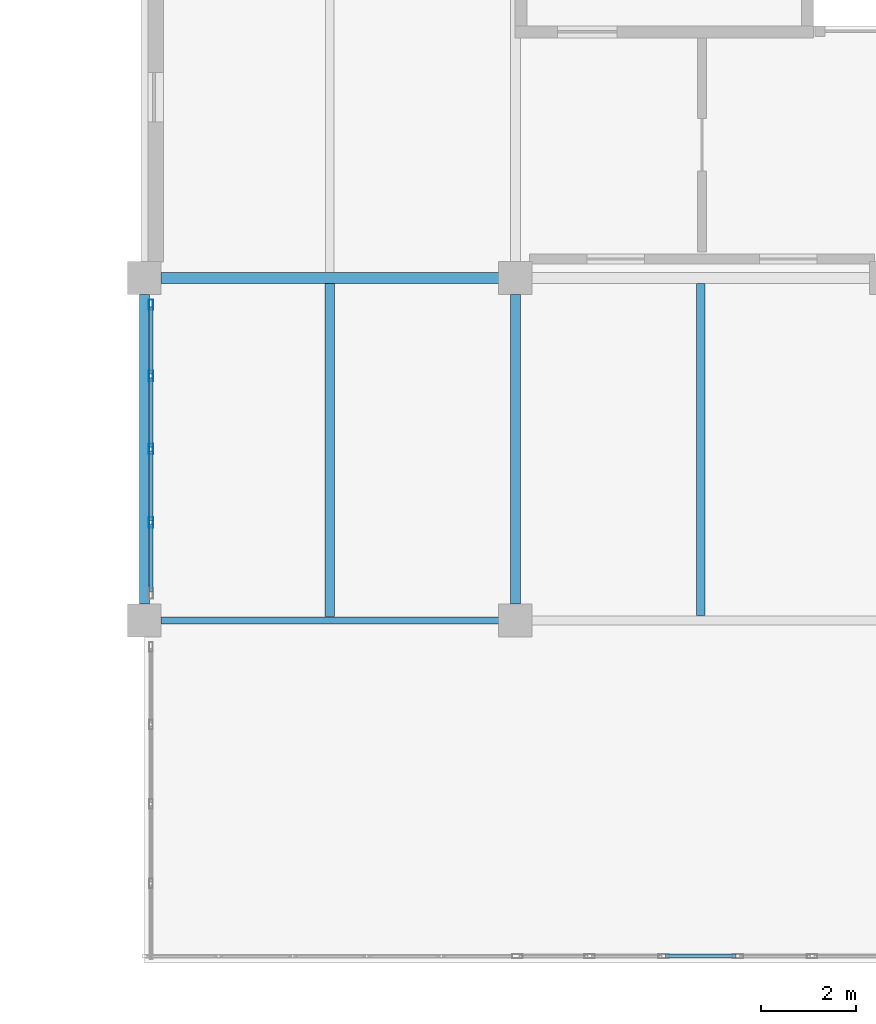
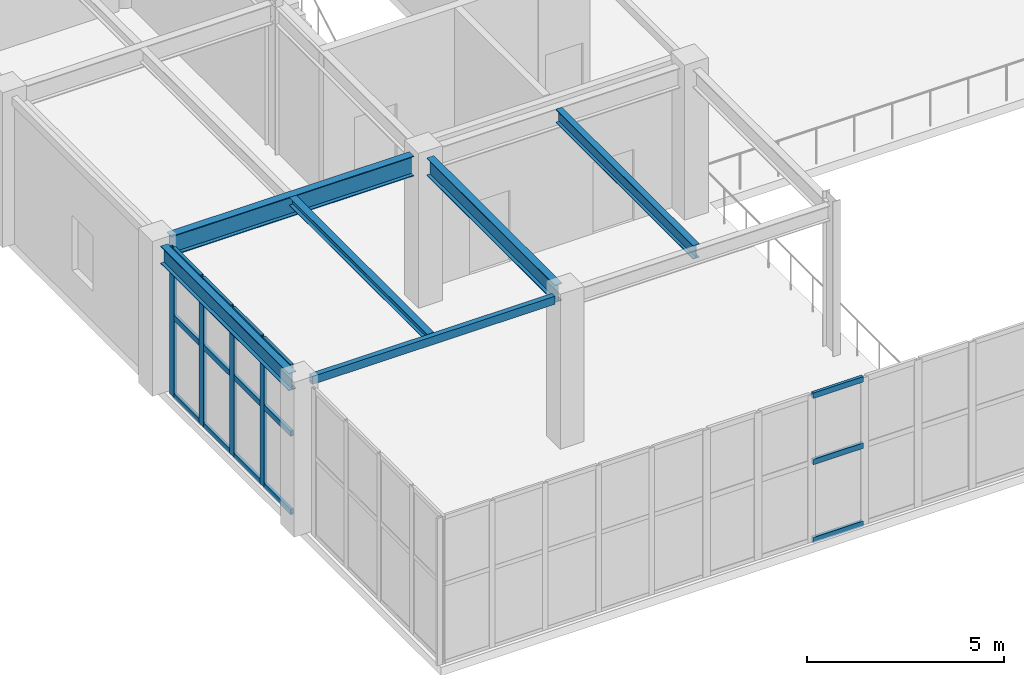
# One storey, part 32 of 72: 19 members, 6 beams, 2 elements without a shape of their own.
"""IFC4 building model written with IfcOpenShell, lengths in metres."""

from ifc_helpers import new_model, si_unit, direction, frame, origin, origin_2d, place, context, subcontext, project, spatial, hollow_rectangle, i_section, extrude, material, layer, layer_set, material_profile, profile_set, type_object, element, aggregate, save


model = new_model("IFC4")

# Units and contexts
model_context = context("Model", 3, precision=1e-05, world=origin(), true_north=direction((0.0, 1.0)))
body_context = subcontext(model_context, "Body", "Model", "MODEL_VIEW")
ifc_project = project(units=[si_unit("LENGTHUNIT", "METRE"), si_unit("AREAUNIT", "SQUARE_METRE"), si_unit("VOLUMEUNIT", "CUBIC_METRE"), si_unit("PLANEANGLEUNIT", "RADIAN"), si_unit("MASSUNIT", "GRAM", prefix="KILO")], contexts=[model_context])

# Site, building, storey
site_placement = place(None, origin())
site = spatial("IfcSite", under=ifc_project, at=site_placement, CompositionType="ELEMENT")
building_placement = place(site_placement, origin())
building = spatial("IfcBuilding", under=site, at=building_placement, Name="Xicomal Pleat Aquarium", CompositionType="ELEMENT")
storey_placement = place(building_placement, frame((0.0, 0.0, 10.5)))
storey = spatial("IfcBuildingStorey", under=building, at=storey_placement, Name="L03", CompositionType="ELEMENT", Elevation=10.5)

# Beams
ifc_material_1 = material(Name="Structural steel A992 Gr 50", Category="steel")
ifc_material_profile_1 = material_profile(ifc_material_1, i_section(OverallWidth=0.201904296875, OverallDepth=0.2470703125, WebThickness=0.00732421875, FlangeThickness=0.010986328125, at=origin_2d()), Name="IR 250x49")
ifc_profile_set_1 = profile_set([ifc_material_profile_1], Name="Structural steel A992 Gr 50")
beam_type_1 = type_object("IfcBeamType", Name="BM-STL-IR250", PredefinedType="JOIST", material=ifc_profile_set_1)
beam_1_placement = place(storey_placement, frame((137.699951171875, 8.077880859375, 4.451416015625), z_axis=(0.0, 1.0, 0.0), x_axis=(-1.0, 0.0, 0.0)))
element("IfcBeam", 1, at=beam_1_placement, inside=storey, type_object=beam_type_1, Name="L03 framing beam FBJ-L03-17-B-1", PredefinedType="JOIST", context=body_context, shape_type="SweptSolid", body=[
    extrude(i_section(OverallWidth=0.201904296875, OverallDepth=0.2470703125, WebThickness=0.00732421875, FlangeThickness=0.010986328125, at=origin_2d()), origin(), (0.0, 0.0, 1.0), 7.004150390625),
])
ifc_material_2 = material(Name="Structural steel A992 Gr 50", Category="steel")
ifc_material_profile_2 = material_profile(ifc_material_2, i_section(OverallWidth=0.180908203125, OverallDepth=0.4169921875, WebThickness=0.010986328125, FlangeThickness=0.018310546875, at=origin_2d()), Name="IR 410x85")
ifc_profile_set_2 = profile_set([ifc_material_profile_2], Name="Structural steel A992 Gr 50")
beam_type_2 = type_object("IfcBeamType", Name="BM-STL-IR410", PredefinedType="JOIST", material=ifc_profile_set_2)
beam_2_placement = place(storey_placement, frame((145.5, 8.10009765625, 4.366455078125), z_axis=(0.0, 1.0, 0.0), x_axis=(-1.0, 0.0, 0.0)))
element("IfcBeam", 2, at=beam_2_placement, inside=storey, type_object=beam_type_2, Name="L03 framing beam FBJ-L03-18-B-1", PredefinedType="JOIST", context=body_context, shape_type="SweptSolid", body=[
    extrude(i_section(OverallWidth=0.180908203125, OverallDepth=0.4169921875, WebThickness=0.010986328125, FlangeThickness=0.018310546875, at=origin_2d()), origin(), (0.0, 0.0, 1.0), 6.98193359375),
])
ifc_material_3 = material(Name="Structural steel A992 Gr 50", Category="steel")
ifc_material_profile_3 = material_profile(ifc_material_3, i_section(OverallWidth=0.2119140625, OverallDepth=0.5439453125, WebThickness=0.01318359375, FlangeThickness=0.021240234375, at=origin_2d()), Name="IR 530x123")
ifc_profile_set_3 = profile_set([ifc_material_profile_3], Name="Structural steel A992 Gr 50")
beam_type_3 = type_object("IfcBeamType", Name="BM-STL-IR530", PredefinedType="BEAM", material=ifc_profile_set_3)
for number, where, z_axis, x_axis, name in (
    (3, (133.800048828125, 8.344970703125, 4.302978515625), (0.0, 1.0, 0.0), (-1.0, 0.0, 0.0), "L03 framing beam FGY-L03-17-B-C"),
    (4, (141.60009765625, 8.344970703125, 4.302978515625), (0.0, 1.0, 0.0), (-1.0, 0.0, 0.0), "L03 framing beam FGY-L03-18-B-C"),
):
    element("IfcBeam", number, at=place(storey_placement, frame(where, z_axis=z_axis, x_axis=x_axis)), inside=storey, type_object=beam_type_3, Name=name, PredefinedType="BEAM", context=body_context, shape_type="SweptSolid", body=[
        extrude(i_section(OverallWidth=0.2119140625, OverallDepth=0.5439453125, WebThickness=0.01318359375, FlangeThickness=0.021240234375, at=origin_2d()), origin(), (0.0, 0.0, 1.0), 6.510009765625),
    ])
ifc_material_4 = material(Name="Structural steel A992 Gr 50", Category="steel")
ifc_material_profile_4 = material_profile(ifc_material_4, i_section(OverallWidth=0.22998046875, OverallDepth=0.616943359375, WebThickness=0.01318359375, FlangeThickness=0.022216796875, at=origin_2d()), Name="IR 610x140")
ifc_profile_set_4 = profile_set([ifc_material_profile_4], Name="Structural steel A992 Gr 50")
beam_type_4 = type_object("IfcBeamType", Name="BM-STL-IR610", PredefinedType="BEAM", material=ifc_profile_set_4)
beam_3_placement = place(storey_placement, frame((134.14501953125, 15.199951171875, 4.2666015625), z_axis=(1.0, 0.0, 0.0), x_axis=(0.0, 1.0, 0.0)))
element("IfcBeam", 5, at=beam_3_placement, inside=storey, type_object=beam_type_4, Name="L03 framing beam FGX-L03-17-18-C", PredefinedType="BEAM", context=body_context, shape_type="SweptSolid", body=[
    extrude(i_section(OverallWidth=0.22998046875, OverallDepth=0.616943359375, WebThickness=0.01318359375, FlangeThickness=0.022216796875, at=origin_2d()), origin(), (0.0, 0.0, 1.0), 7.10986328125),
])
ifc_material_5 = material(Name="Structural steel A500 Gr C", Category="steel")
ifc_material_profile_5 = material_profile(ifc_material_5, hollow_rectangle(XDim=0.14990234375, YDim=0.25, WallThickness=0.010009765625, at=origin_2d()), Name="OR 250x150x10")
ifc_profile_set_5 = profile_set([ifc_material_profile_5], Name="Structural steel A500 Gr C")
beam_type_5 = type_object("IfcBeamType", Name="BM-STL-OR250", PredefinedType="SPANDREL", material=ifc_profile_set_5)
beam_4_placement = place(storey_placement, frame((134.14501953125, 8.0, 4.449951171875), z_axis=(1.0, 0.0, 0.0), x_axis=(0.0, 1.0, 0.0)))
element("IfcBeam", 6, at=beam_4_placement, inside=storey, type_object=beam_type_5, Name="L03 framing beam FGX-L03-17-18-B", PredefinedType="SPANDREL", context=body_context, shape_type="SweptSolid", body=[
    extrude(hollow_rectangle(XDim=0.14990234375, YDim=0.25, WallThickness=0.010009765625, at=origin_2d()), origin(), (0.0, 0.0, 1.0), 7.10986328125),
])

# Curtain wall, members
ifc_material_6 = material(Name="Bronze anodized aluminium 6063-T6", Category="aluminium")
ifc_layer = layer(ifc_material_6, 0.159912109375)
ifc_layer_set = layer_set([ifc_layer], Name="Bronze anodized aluminium 6063-T6")
curtain_wall_type = type_object("IfcCurtainWallType", Name="CW-SYS-03", PredefinedType="NOTDEFINED", material=ifc_layer_set)
curtain_wall_1_placement = place(storey_placement, origin())
curtain_wall_1 = element("IfcCurtainWall", 7, at=curtain_wall_1_placement, inside=storey, type_object=curtain_wall_type, Name="L03 unitised curtain wall CW-L03-149", PredefinedType="NOTDEFINED")
ifc_material_7 = material(Name="Bronze anodized aluminium 6063-T6", Category="aluminium")
ifc_material_profile_6 = material_profile(ifc_material_7, hollow_rectangle(XDim=0.0849609375, YDim=0.219970703125, WallThickness=0.0048828125, at=origin_2d()), Name="ALU MULL 85x220")
ifc_profile_set_6 = profile_set([ifc_material_profile_6], Name="Bronze anodized aluminium 6063-T6")
member_type_1 = type_object("IfcMemberType", Name="CWM-85x220", PredefinedType="MULLION", material=ifc_profile_set_6)
member_1_placement = place(storey_placement, frame((133.93994140625, 10.06005859375, 0.0), z_axis=(0.0, 0.0, 1.0), x_axis=(-1.0, 0.0, 0.0)))
member_1 = element("IfcMember", 8, at=member_1_placement, type_object=member_type_1, Name="CW-03 mullion 2", PredefinedType="MULLION", context=body_context, shape_type="SweptSolid", body=[
    extrude(hollow_rectangle(XDim=0.0849609375, YDim=0.219970703125, WallThickness=0.0048828125, at=origin_2d()), origin(), (0.0, 0.0, 1.0), 4.574951171875),
])
member_2_placement = place(storey_placement, frame((133.93994140625, 11.60009765625, 0.0), z_axis=(0.0, 0.0, 1.0), x_axis=(-1.0, 0.0, 0.0)))
member_2 = element("IfcMember", 9, at=member_2_placement, type_object=member_type_1, Name="CW-03 mullion 3", PredefinedType="MULLION", context=body_context, shape_type="SweptSolid", body=[
    extrude(hollow_rectangle(XDim=0.0849609375, YDim=0.219970703125, WallThickness=0.0048828125, at=origin_2d()), origin(), (0.0, 0.0, 1.0), 4.574951171875),
])
member_3_placement = place(storey_placement, frame((133.93994140625, 13.139892578125, 0.0), z_axis=(0.0, 0.0, 1.0), x_axis=(-1.0, 0.0, 0.0)))
member_3 = element("IfcMember", 10, at=member_3_placement, type_object=member_type_1, Name="CW-03 mullion 4", PredefinedType="MULLION", context=body_context, shape_type="SweptSolid", body=[
    extrude(hollow_rectangle(XDim=0.0849609375, YDim=0.219970703125, WallThickness=0.0048828125, at=origin_2d()), origin(), (0.0, 0.0, 1.0), 4.574951171875),
])
member_4_placement = place(storey_placement, frame((133.93994140625, 14.637451171875, 0.0), z_axis=(0.0, 0.0, 1.0), x_axis=(-1.0, 0.0, 0.0)))
member_4 = element("IfcMember", 11, at=member_4_placement, type_object=member_type_1, Name="CW-03 mullion 5", PredefinedType="MULLION", context=body_context, shape_type="SweptSolid", body=[
    extrude(hollow_rectangle(XDim=0.0849609375, YDim=0.219970703125, WallThickness=0.0048828125, at=origin_2d()), origin(), (0.0, 0.0, 1.0), 4.574951171875),
])

curtain_wall_2_placement = place(storey_placement, origin())
curtain_wall_2 = element("IfcCurtainWall", 12, at=curtain_wall_2_placement, inside=storey, type_object=curtain_wall_type, Name="L03 unitised curtain wall CW-L03-146", PredefinedType="NOTDEFINED")
ifc_material_8 = material(Name="Bronze anodized aluminium 6063-T6", Category="aluminium")
ifc_material_profile_7 = material_profile(ifc_material_8, hollow_rectangle(XDim=0.0849609375, YDim=0.169921875, WallThickness=0.0048828125, at=origin_2d()), Name="ALU TRAN 85x170")
ifc_profile_set_7 = profile_set([ifc_material_profile_7], Name="Bronze anodized aluminium 6063-T6")
member_type_2 = type_object("IfcMemberType", Name="CWT-85x170", PredefinedType="USERDEFINED", material=ifc_profile_set_7)
member_5_placement = place(storey_placement, frame((146.237548828125, 0.93994140625, 0.04248046875), z_axis=(-1.0, 0.0, 0.0), x_axis=(0.0, -1.0, 0.0)))
member_5 = element("IfcMember", 13, at=member_5_placement, type_object=member_type_2, Name="CW-03 transom 3.1", ObjectType="TRANSOM", PredefinedType="USERDEFINED", context=body_context, shape_type="SweptSolid", body=[
    extrude(hollow_rectangle(XDim=0.0849609375, YDim=0.169921875, WallThickness=0.0048828125, at=origin_2d()), origin(), (0.0, 0.0, 1.0), 1.47509765625),
])
member_6_placement = place(storey_placement, frame((146.237548828125, 0.93994140625, 2.4619140625), z_axis=(-1.0, 0.0, 0.0), x_axis=(0.0, -1.0, 0.0)))
member_6 = element("IfcMember", 14, at=member_6_placement, type_object=member_type_2, Name="CW-03 transom 3.2", ObjectType="TRANSOM", PredefinedType="USERDEFINED", context=body_context, shape_type="SweptSolid", body=[
    extrude(hollow_rectangle(XDim=0.0849609375, YDim=0.169921875, WallThickness=0.0048828125, at=origin_2d()), origin(), (0.0, 0.0, 1.0), 1.47509765625),
])
member_7_placement = place(storey_placement, frame((146.237548828125, 0.93994140625, 4.517578125), z_axis=(-1.0, 0.0, 0.0), x_axis=(0.0, -1.0, 0.0)))
member_7 = element("IfcMember", 15, at=member_7_placement, type_object=member_type_2, Name="CW-03 transom 3.3", ObjectType="TRANSOM", PredefinedType="USERDEFINED", context=body_context, shape_type="SweptSolid", body=[
    extrude(hollow_rectangle(XDim=0.0849609375, YDim=0.169921875, WallThickness=0.0048828125, at=origin_2d()), origin(), (0.0, 0.0, 1.0), 1.47509765625),
])
aggregate(curtain_wall_2, [member_5, member_6, member_7])

# Member
member_8_placement = place(storey_placement, frame((133.93994140625, 8.60498046875, 0.04248046875), z_axis=(0.0, 1.0, 0.0), x_axis=(-1.0, 0.0, 0.0)))
member_8 = element("IfcMember", 16, at=member_8_placement, type_object=member_type_2, Name="CW-03 transom 1.1", ObjectType="TRANSOM", PredefinedType="USERDEFINED", context=body_context, shape_type="SweptSolid", body=[
    extrude(hollow_rectangle(XDim=0.0849609375, YDim=0.169921875, WallThickness=0.0048828125, at=origin_2d()), origin(), (0.0, 0.0, 1.0), 1.41259765625),
])

member_9_placement = place(storey_placement, frame((133.93994140625, 8.60498046875, 2.469970703125), z_axis=(0.0, 1.0, 0.0), x_axis=(-1.0, 0.0, 0.0)))
member_9 = element("IfcMember", 17, at=member_9_placement, type_object=member_type_2, Name="CW-03 transom 1.2", ObjectType="TRANSOM", PredefinedType="USERDEFINED", context=body_context, shape_type="SweptSolid", body=[
    extrude(hollow_rectangle(XDim=0.0849609375, YDim=0.169921875, WallThickness=0.0048828125, at=origin_2d()), origin(), (0.0, 0.0, 1.0), 1.41259765625),
])

member_10_placement = place(storey_placement, frame((133.93994140625, 8.60498046875, 4.532470703125), z_axis=(0.0, 1.0, 0.0), x_axis=(-1.0, 0.0, 0.0)))
member_10 = element("IfcMember", 18, at=member_10_placement, type_object=member_type_2, Name="CW-03 transom 1.3", ObjectType="TRANSOM", PredefinedType="USERDEFINED", context=body_context, shape_type="SweptSolid", body=[
    extrude(hollow_rectangle(XDim=0.0849609375, YDim=0.169921875, WallThickness=0.0048828125, at=origin_2d()), origin(), (0.0, 0.0, 1.0), 1.41259765625),
])

member_11_placement = place(storey_placement, frame((133.93994140625, 10.1025390625, 0.04248046875), z_axis=(0.0, 1.0, 0.0), x_axis=(-1.0, 0.0, 0.0)))
member_11 = element("IfcMember", 19, at=member_11_placement, type_object=member_type_2, Name="CW-03 transom 2.1", ObjectType="TRANSOM", PredefinedType="USERDEFINED", context=body_context, shape_type="SweptSolid", body=[
    extrude(hollow_rectangle(XDim=0.0849609375, YDim=0.169921875, WallThickness=0.0048828125, at=origin_2d()), origin(), (0.0, 0.0, 1.0), 1.455078125),
])

member_12_placement = place(storey_placement, frame((133.93994140625, 10.1025390625, 2.469970703125), z_axis=(0.0, 1.0, 0.0), x_axis=(-1.0, 0.0, 0.0)))
member_12 = element("IfcMember", 20, at=member_12_placement, type_object=member_type_2, Name="CW-03 transom 2.2", ObjectType="TRANSOM", PredefinedType="USERDEFINED", context=body_context, shape_type="SweptSolid", body=[
    extrude(hollow_rectangle(XDim=0.0849609375, YDim=0.169921875, WallThickness=0.0048828125, at=origin_2d()), origin(), (0.0, 0.0, 1.0), 1.455078125),
])

member_13_placement = place(storey_placement, frame((133.93994140625, 10.1025390625, 4.532470703125), z_axis=(0.0, 1.0, 0.0), x_axis=(-1.0, 0.0, 0.0)))
member_13 = element("IfcMember", 21, at=member_13_placement, type_object=member_type_2, Name="CW-03 transom 2.3", ObjectType="TRANSOM", PredefinedType="USERDEFINED", context=body_context, shape_type="SweptSolid", body=[
    extrude(hollow_rectangle(XDim=0.0849609375, YDim=0.169921875, WallThickness=0.0048828125, at=origin_2d()), origin(), (0.0, 0.0, 1.0), 1.455078125),
])

member_14_placement = place(storey_placement, frame((133.93994140625, 11.642578125, 0.04248046875), z_axis=(0.0, 1.0, 0.0), x_axis=(-1.0, 0.0, 0.0)))
member_14 = element("IfcMember", 22, at=member_14_placement, type_object=member_type_2, Name="CW-03 transom 3.1", ObjectType="TRANSOM", PredefinedType="USERDEFINED", context=body_context, shape_type="SweptSolid", body=[
    extrude(hollow_rectangle(XDim=0.0849609375, YDim=0.169921875, WallThickness=0.0048828125, at=origin_2d()), origin(), (0.0, 0.0, 1.0), 1.454833984375),
])

member_15_placement = place(storey_placement, frame((133.93994140625, 11.642578125, 2.469970703125), z_axis=(0.0, 1.0, 0.0), x_axis=(-1.0, 0.0, 0.0)))
member_15 = element("IfcMember", 23, at=member_15_placement, type_object=member_type_2, Name="CW-03 transom 3.2", ObjectType="TRANSOM", PredefinedType="USERDEFINED", context=body_context, shape_type="SweptSolid", body=[
    extrude(hollow_rectangle(XDim=0.0849609375, YDim=0.169921875, WallThickness=0.0048828125, at=origin_2d()), origin(), (0.0, 0.0, 1.0), 1.454833984375),
])

member_16_placement = place(storey_placement, frame((133.93994140625, 11.642578125, 4.532470703125), z_axis=(0.0, 1.0, 0.0), x_axis=(-1.0, 0.0, 0.0)))
member_16 = element("IfcMember", 24, at=member_16_placement, type_object=member_type_2, Name="CW-03 transom 3.3", ObjectType="TRANSOM", PredefinedType="USERDEFINED", context=body_context, shape_type="SweptSolid", body=[
    extrude(hollow_rectangle(XDim=0.0849609375, YDim=0.169921875, WallThickness=0.0048828125, at=origin_2d()), origin(), (0.0, 0.0, 1.0), 1.454833984375),
])

member_17_placement = place(storey_placement, frame((133.93994140625, 13.1826171875, 0.04248046875), z_axis=(0.0, 1.0, 0.0), x_axis=(-1.0, 0.0, 0.0)))
member_17 = element("IfcMember", 25, at=member_17_placement, type_object=member_type_2, Name="CW-03 transom 4.1", ObjectType="TRANSOM", PredefinedType="USERDEFINED", context=body_context, shape_type="SweptSolid", body=[
    extrude(hollow_rectangle(XDim=0.0849609375, YDim=0.169921875, WallThickness=0.0048828125, at=origin_2d()), origin(), (0.0, 0.0, 1.0), 1.412353515625),
])

member_18_placement = place(storey_placement, frame((133.93994140625, 13.1826171875, 2.469970703125), z_axis=(0.0, 1.0, 0.0), x_axis=(-1.0, 0.0, 0.0)))
member_18 = element("IfcMember", 26, at=member_18_placement, type_object=member_type_2, Name="CW-03 transom 4.2", ObjectType="TRANSOM", PredefinedType="USERDEFINED", context=body_context, shape_type="SweptSolid", body=[
    extrude(hollow_rectangle(XDim=0.0849609375, YDim=0.169921875, WallThickness=0.0048828125, at=origin_2d()), origin(), (0.0, 0.0, 1.0), 1.412353515625),
])

member_19_placement = place(storey_placement, frame((133.93994140625, 13.1826171875, 4.532470703125), z_axis=(0.0, 1.0, 0.0), x_axis=(-1.0, 0.0, 0.0)))
member_19 = element("IfcMember", 27, at=member_19_placement, type_object=member_type_2, Name="CW-03 transom 4.3", ObjectType="TRANSOM", PredefinedType="USERDEFINED", context=body_context, shape_type="SweptSolid", body=[
    extrude(hollow_rectangle(XDim=0.0849609375, YDim=0.169921875, WallThickness=0.0048828125, at=origin_2d()), origin(), (0.0, 0.0, 1.0), 1.412353515625),
])

aggregate(curtain_wall_1, [member_1, member_2, member_3, member_4, member_8, member_9, member_10, member_11, member_12, member_13, member_14, member_15, member_16, member_17, member_18, member_19])

save(model, "model.ifc")
